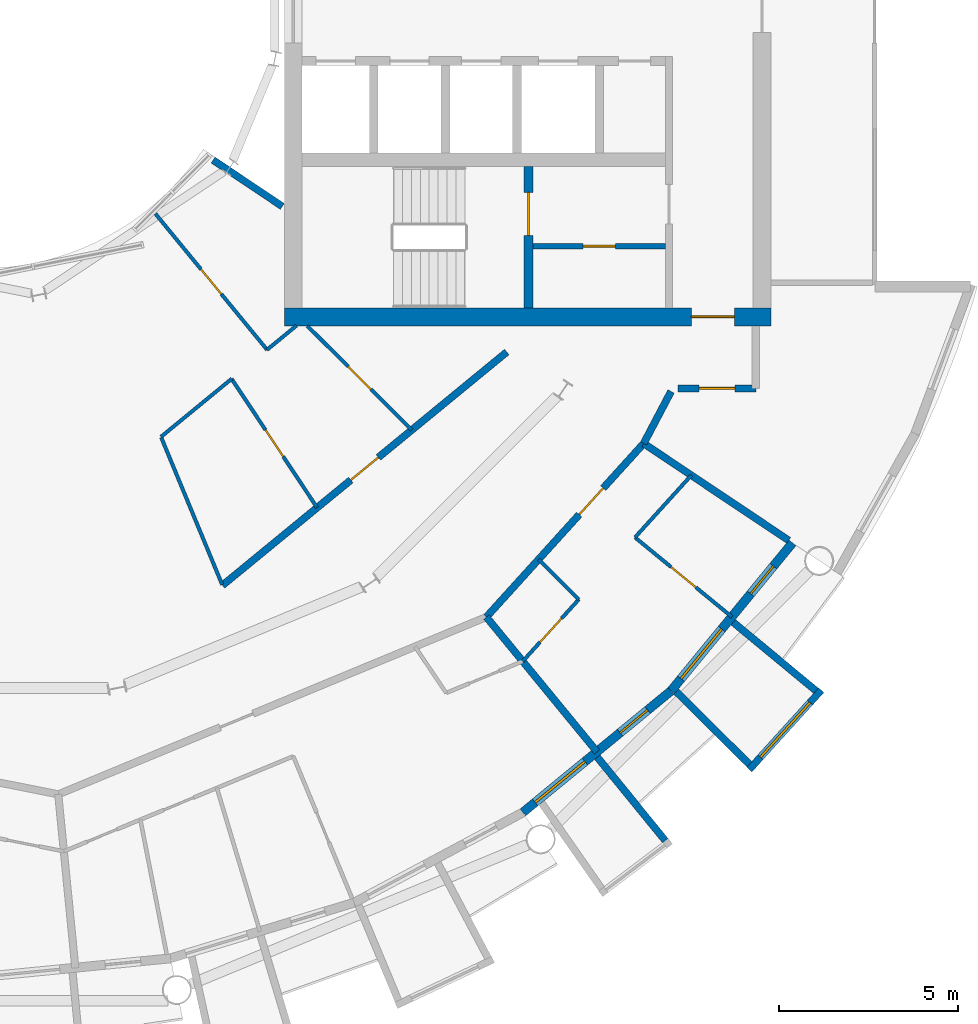
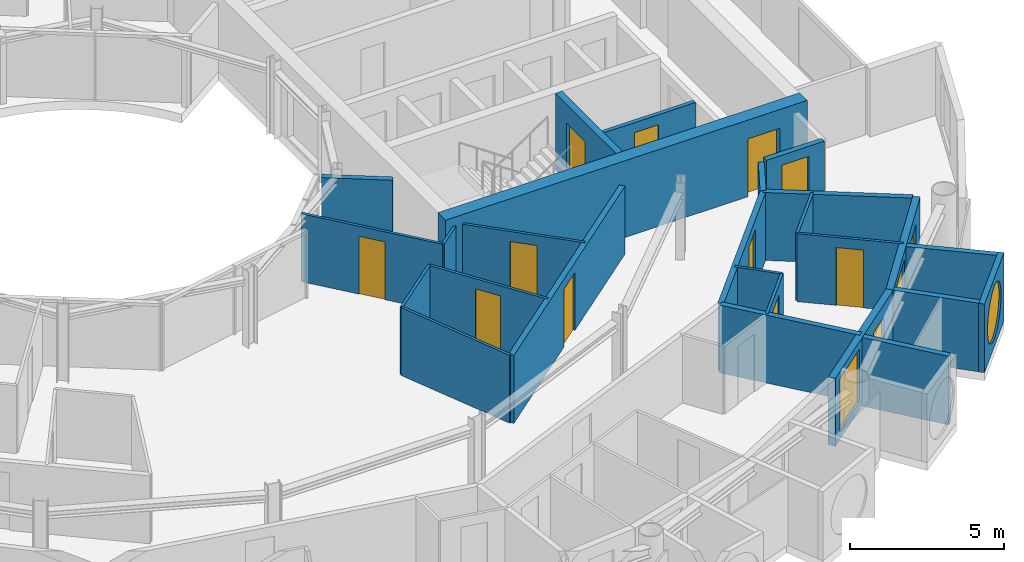
# One storey, part 17 of 27: 26 walls, 13 doors, 3 windows, 16 openings.
"""IFC4 building model written with IfcOpenShell, lengths in metres."""

import ifcopenshell
import ifcopenshell.guid

model = None  # the IFC model being written
_history = None  # IfcOwnerHistory: only IFC2X3 demands one
_inside = {}  # id of a spatial element -> (the spatial element, [elements in it])
_under = {}  # id of a project, library or spatial element -> (it, [spatial elements below it])
_declared = {}  # id of a project -> (the project, [libraries it declares])
_typed = {}  # id of a type object -> (the type object, [elements of that type])
_made_of = {}  # id of a material, layer set ... -> (it, [elements and type objects made of it])


def new_model(schema):
    """Start an empty IFC model of exactly this schema.

    Asked for "IFC4X3", IfcOpenShell would pick the latest addendum, in which some entities
    have other attributes; the version numbers below select the first issue.
    IFC2X3 requires an IfcOwnerHistory on every rooted entity: one is made here for all.
    """
    global model, _history
    if schema == "IFC4X3":
        model = ifcopenshell.file(schema_version=(4, 3, 0, 0))
    else:
        model = ifcopenshell.file(schema=schema)
    _inside.clear()
    _under.clear()
    _declared.clear()
    _typed.clear()
    _made_of.clear()
    _history = None
    if model.schema == "IFC2X3":
        org = make("IfcOrganization", Name="unknown")
        user = make(
            "IfcPersonAndOrganization",
            ThePerson=make("IfcPerson", FamilyName="unknown"),
            TheOrganization=org,
        )
        app = make(
            "IfcApplication",
            ApplicationDeveloper=org,
            Version="unknown",
            ApplicationFullName="unknown",
            ApplicationIdentifier="unknown",
        )
        _history = make(
            "IfcOwnerHistory",
            OwningUser=user,
            OwningApplication=app,
            ChangeAction="ADDED",
            CreationDate=0,
        )
    return model


def make(cls, **values):
    """One entity of the class cls with the attributes given. An attribute that is None is left unset."""
    return model.create_entity(
        cls, **{name: value for name, value in values.items() if value is not None}
    )


def rooted(cls, **values):
    """An entity with a GlobalId (a new one), such as an element, a storey or a relation."""
    return make(cls, GlobalId=ifcopenshell.guid.new(), OwnerHistory=_history, **values)


def si_unit(unit_type, name, prefix=None):
    """IfcSIUnit, for example si_unit("LENGTHUNIT", "METRE", prefix="MILLI")."""
    return make("IfcSIUnit", UnitType=unit_type, Prefix=prefix, Name=name)


def assignment(units):
    """IfcUnitAssignment: the units of a project."""
    return None if units is None else make("IfcUnitAssignment", Units=units)


def point(xyz):
    """IfcCartesianPoint."""
    return None if xyz is None else make("IfcCartesianPoint", Coordinates=xyz)


def direction(xyz):
    """IfcDirection."""
    return None if xyz is None else make("IfcDirection", DirectionRatios=xyz)


def frame(location, z_axis=None, x_axis=None):
    """IfcAxis2Placement3D, a coordinate frame: its origin and axes. An axis left out is left unset."""
    return make(
        "IfcAxis2Placement3D",
        Location=point(location),
        Axis=direction(z_axis),
        RefDirection=direction(x_axis),
    )


def frame_2d(location, x_axis=None):
    """IfcAxis2Placement2D, a coordinate frame in the plane: its origin and x axis."""
    return make(
        "IfcAxis2Placement2D", Location=point(location), RefDirection=direction(x_axis)
    )


def origin():
    """The frame at (0, 0, 0) with its axes left unset."""
    return frame((0.0, 0.0, 0.0))


def place(relative_to, where):
    """IfcLocalPlacement: puts the frame where relative to a parent placement (None: the world)."""
    return make(
        "IfcLocalPlacement", PlacementRelTo=relative_to, RelativePlacement=where
    )


def context(
    kind, dimensions, precision=None, world=None, true_north=None, identifier=None
):
    """IfcGeometricRepresentationContext, for example the 3D "Model" context."""
    return make(
        "IfcGeometricRepresentationContext",
        ContextIdentifier=identifier,
        ContextType=kind,
        CoordinateSpaceDimension=dimensions,
        Precision=precision,
        WorldCoordinateSystem=world,
        TrueNorth=true_north,
    )


def subcontext(parent, identifier, kind, view, scale=None):
    """IfcGeometricRepresentationSubContext, for example "Body" below "Model"."""
    return make(
        "IfcGeometricRepresentationSubContext",
        ContextIdentifier=identifier,
        ContextType=kind,
        ParentContext=parent,
        TargetScale=scale,
        TargetView=view,
    )


def project(units=None, contexts=None):
    """IfcProject with its units and contexts."""
    return rooted(
        "IfcProject",
        Name="project",
        RepresentationContexts=contexts,
        UnitsInContext=assignment(units),
    )


def spatial(cls, under=None, at=None, **own):
    """A site, building, storey or space (cls), placed at a placement, below another one or the project."""
    s = rooted(cls, ObjectPlacement=at, **own)
    if under is not None:
        _under.setdefault(under.id(), (under, []))[1].append(s)
    return s


def profile(cls, at=None, kind="AREA", **sizes):
    """A parametric profile (cls). Its sizes go by their IFC names, for example OverallWidth=200.0."""
    return make(cls, ProfileType=kind, Position=at, **sizes)


def rectangle(**sizes):
    """IfcRectangleProfileDef."""
    return profile("IfcRectangleProfileDef", **sizes)


def circle(**sizes):
    """IfcCircleProfileDef."""
    return profile("IfcCircleProfileDef", **sizes)


def extrude(swept, where, along, depth):
    """IfcExtrudedAreaSolid: the profile swept, set in the frame where, extruded along a direction by depth."""
    return make(
        "IfcExtrudedAreaSolid",
        SweptArea=swept,
        Position=where,
        ExtrudedDirection=direction(along),
        Depth=depth,
    )


def shape(context_of_items, identifier, shape_type, items):
    """IfcShapeRepresentation: the items that make up one representation, for example the "Body"."""
    return make(
        "IfcShapeRepresentation",
        ContextOfItems=context_of_items,
        RepresentationIdentifier=identifier,
        RepresentationType=shape_type,
        Items=items,
    )


def material(Name=None, Category=None):
    """IfcMaterial."""
    return make("IfcMaterial", Name=Name, Category=Category)


def layer(
    of_material, thickness, ventilated=None, Name=None, Category=None, Priority=None
):
    """IfcMaterialLayer: one layer of a wall or slab, of a material (None: an air gap)."""
    return make(
        "IfcMaterialLayer",
        Material=of_material,
        LayerThickness=thickness,
        IsVentilated=ventilated,
        Name=Name,
        Category=Category,
        Priority=Priority,
    )


def layer_set(layers, Name=None):
    """IfcMaterialLayerSet."""
    return make("IfcMaterialLayerSet", MaterialLayers=layers, LayerSetName=Name)


def made_of(thing, what):
    """Note that an element or type object is made of a material, layer set ...; save() writes the relation."""
    if what is not None:
        _made_of.setdefault(what.id(), (what, []))[1].append(thing)
    return thing


def type_object(cls, material=None, **own):
    """A type object (cls), such as IfcWallType, which elements share."""
    return made_of(rooted(cls, **own), material)


def element(
    cls,
    number,
    at=None,
    inside=None,
    cuts=None,
    type_object=None,
    material=None,
    context=None,
    identifier="Body",
    shape_type=None,
    held_by="IfcProductDefinitionShape",
    body=None,
    shapes=None,
    **own,
):
    """One element of the class cls, such as IfcWall. Its Tag is "e" and its number.

    at: its placement. inside: the storey or other place that contains it. cuts: it is an
    opening in that element (IfcRelVoidsElement). A single representation is given by context,
    identifier, shape_type and body (its items); several are given by shapes. held_by: the class
    of the entity that holds the representations. save() writes the other relations.
    """
    e = rooted(cls, Tag="e%d" % number, ObjectPlacement=at, **own)
    if body is not None:
        shapes = [shape(context, identifier, shape_type, body)]
    if shapes is not None:
        e.Representation = make(held_by, Representations=shapes)
    if inside is not None:
        _inside.setdefault(inside.id(), (inside, []))[1].append(e)
    if cuts is not None:
        rooted(
            "IfcRelVoidsElement", RelatingBuildingElement=cuts, RelatedOpeningElement=e
        )
    if type_object is not None:
        _typed.setdefault(type_object.id(), (type_object, []))[1].append(e)
    return made_of(e, material)


def fill(opening, filler):
    """IfcRelFillsElement: the door or window that sits in an opening."""
    return rooted(
        "IfcRelFillsElement",
        RelatingOpeningElement=opening,
        RelatedBuildingElement=filler,
    )


def aggregate(whole, parts):
    """IfcRelAggregates: a whole, such as a stair, and the parts it consists of."""
    return rooted("IfcRelAggregates", RelatingObject=whole, RelatedObjects=parts)


def save(model, path):
    """Write the relations noted so far, then the file.

    IfcRelAggregates (storeys below a building ...), IfcRelContainedInSpatialStructure (elements
    in a storey), IfcRelDefinesByType, IfcRelAssociatesMaterial and IfcRelDeclares: one each for
    every whole, place, type object, material and project.
    """
    for whole, parts in _under.values():
        aggregate(whole, parts)
    for where, things in _inside.values():
        rooted(
            "IfcRelContainedInSpatialStructure",
            RelatedElements=things,
            RelatingStructure=where,
        )
    for kind, things in _typed.values():
        rooted("IfcRelDefinesByType", RelatedObjects=things, RelatingType=kind)
    for what, things in _made_of.values():
        rooted("IfcRelAssociatesMaterial", RelatedObjects=things, RelatingMaterial=what)
    for by, libraries in _declared.values():
        rooted("IfcRelDeclares", RelatingContext=by, RelatedDefinitions=libraries)
    model.write(path)


model = new_model("IFC4")

# Units and contexts
model_context = context("Model", 3, precision=1e-05, world=origin(), true_north=direction((0.0, 1.0)))
body_context = subcontext(model_context, "Body", "Model", "MODEL_VIEW")
ifc_project = project(units=[si_unit("LENGTHUNIT", "METRE"), si_unit("AREAUNIT", "SQUARE_METRE"), si_unit("VOLUMEUNIT", "CUBIC_METRE"), si_unit("PLANEANGLEUNIT", "RADIAN"), si_unit("MASSUNIT", "GRAM", prefix="KILO")], contexts=[model_context])

# Site, building, storey
site_placement = place(None, origin())
site = spatial("IfcSite", under=ifc_project, at=site_placement, CompositionType="ELEMENT")
building_placement = place(site_placement, origin())
building = spatial("IfcBuilding", under=site, at=building_placement, Name="Maasbend Ring Residences", CompositionType="ELEMENT")
storey_placement = place(building_placement, frame((0.0, 0.0, 145.199951171875)))
storey = spatial("IfcBuildingStorey", under=building, at=storey_placement, Name="L41", CompositionType="ELEMENT", Elevation=145.199951171875)

# Wall, opening, door
ifc_material_1 = material(Name="Concrete C60/75", Category="concrete")
ifc_layer_1 = layer(ifc_material_1, 0.25)
ifc_layer_set_1 = layer_set([ifc_layer_1], Name="Concrete C60/75")
wall_type_1 = type_object("IfcWallType", Name="CORE WALL 250 C60/75", PredefinedType="SHEAR", material=ifc_layer_set_1)
wall_1_placement = place(storey_placement, frame((15.324951171875, -8.60009765625, 0.0), z_axis=(0.0, 0.0, 1.0), x_axis=(0.0, 1.0, 0.0)))
wall_1 = element("IfcWall", 1, at=wall_1_placement, inside=storey, type_object=wall_type_1, Name="L41 core E wall STES", PredefinedType="SHEAR", context=body_context, shape_type="SweptSolid", body=[
    extrude(rectangle(XDim=3.9501953125, YDim=0.25, at=frame_2d((1.97509765625, 0.0))), origin(), (0.0, 0.0, 1.0), 3.050048828125),
])
opening_1_placement = place(wall_1_placement, frame((2.02490234375, 0.0, 0.0)))
opening_1 = element("IfcOpeningElement", 2, at=opening_1_placement, cuts=wall_1, Name="Opening D-E4111", PredefinedType="OPENING", context=body_context, shape_type="SweptSolid", body=[
    extrude(rectangle(XDim=1.199951171875, YDim=2.300048828125, at=frame_2d((0.60009765625, 1.14990234375))), frame((0.0, 0.135009765625, 0.0), z_axis=(0.0, -1.0, 0.0), x_axis=(1.0, 0.0, 0.0)), (0.0, 0.0, 1.0), 0.27001953125),
])
ifc_material_2 = material(Name="Steel, powder coated", Category="steel")
door_type_1 = type_object("IfcDoorType", Name="STAIR DOOR 1200 X 2300 FD60", OperationType="NOTDEFINED", PredefinedType="DOOR", material=ifc_material_2)
door_1_placement = place(opening_1_placement, origin())
door_1 = element("IfcDoor", 3, at=door_1_placement, inside=storey, type_object=door_type_1, Name="Stair door ST-E L41", OperationType="SINGLE_SWING_LEFT", OverallHeight=2.300048828125, OverallWidth=1.199951171875, PredefinedType="DOOR", context=body_context, shape_type="SweptSolid", body=[
    extrude(rectangle(XDim=1.199951171875, YDim=2.300048828125, at=frame_2d((0.60009765625, 1.14990234375))), frame((0.0, 0.02490234375, 0.0), z_axis=(0.0, -1.0, 0.0), x_axis=(1.0, 0.0, 0.0)), (0.0, 0.0, 1.0), 0.050048828125),
])
fill(opening_1, door_1)

ifc_material_3 = material(Name="Concrete C60/75", Category="concrete")
ifc_layer_2 = layer(ifc_material_3, 0.5)
ifc_layer_set_2 = layer_set([ifc_layer_2], Name="Concrete C60/75")
wall_type_2 = type_object("IfcWallType", Name="CORE WALL 500 C60/75", PredefinedType="SHEAR", material=ifc_layer_set_2)
wall_2_placement = place(storey_placement, frame((8.5, -8.85009765625, 0.0), z_axis=(0.0, 0.0, 1.0), x_axis=(1.0, 0.0, 0.0)))
wall_2 = element("IfcWall", 4, at=wall_2_placement, inside=storey, type_object=wall_type_2, Name="L41 core E wall PS", PredefinedType="SHEAR", context=body_context, shape_type="SweptSolid", body=[
    extrude(rectangle(XDim=13.60009765625, YDim=0.5, at=frame_2d((6.800048828125, 0.0))), origin(), (0.0, 0.0, 1.0), 3.050048828125),
])
opening_2_placement = place(wall_2_placement, frame((11.375, 0.0, 0.0)))
opening_2 = element("IfcOpeningElement", 5, at=opening_2_placement, cuts=wall_2, Name="Opening D-E4115", PredefinedType="OPENING", context=body_context, shape_type="SweptSolid", body=[
    extrude(rectangle(XDim=1.199951171875, YDim=2.300048828125, at=frame_2d((0.60009765625, 1.14990234375))), frame((0.0, 0.260009765625, 0.0), z_axis=(0.0, -1.0, 0.0), x_axis=(1.0, 0.0, 0.0)), (0.0, 0.0, 1.0), 0.52001953125),
])
ifc_material_4 = material(Name="Steel, powder coated", Category="steel")
door_type_2 = type_object("IfcDoorType", Name="CORRIDOR DOOR 1200 X 2300 FD30S", OperationType="NOTDEFINED", PredefinedType="DOOR", material=ifc_material_4)
door_2_placement = place(opening_2_placement, origin())
door_2 = element("IfcDoor", 6, at=door_2_placement, inside=storey, type_object=door_type_2, Name="Corridor door L41", OperationType="SINGLE_SWING_LEFT", OverallHeight=2.300048828125, OverallWidth=1.199951171875, PredefinedType="DOOR", context=body_context, shape_type="SweptSolid", body=[
    extrude(rectangle(XDim=1.199951171875, YDim=2.300048828125, at=frame_2d((0.60009765625, 1.14990234375))), frame((0.0, 0.02490234375, 0.0), z_axis=(0.0, -1.0, 0.0), x_axis=(1.0, 0.0, 0.0)), (0.0, 0.0, 1.0), 0.050048828125),
])
fill(opening_2, door_2)

# Wall
ifc_material_5 = material(Name="Concrete C30/37", Category="concrete")
ifc_layer_3 = layer(ifc_material_5, 0.199951171875)
ifc_layer_set_3 = layer_set([ifc_layer_3], Name="Concrete C30/37")
wall_type_3 = type_object("IfcWallType", Name="CORRIDOR WALL 200 CONCRETE", PredefinedType="PARTITIONING", material=ifc_layer_set_3)
wall_3_placement = place(storey_placement, frame((18.5419921875, -12.388916015625, 0.0), z_axis=(0.0, 0.0, 1.0), x_axis=(0.465605550524, 0.884992356646, 0.0)))
element("IfcWall", 7, at=wall_3_placement, inside=storey, type_object=wall_type_3, Name="U-L41-w010", PredefinedType="PARTITIONING", context=body_context, shape_type="SweptSolid", body=[
    extrude(rectangle(XDim=1.642822265625, YDim=0.199951171875, at=frame_2d((0.8212890625, 0.0))), origin(), (0.0, 0.0, 1.0), 2.699951171875),
])

# Wall, opening, door
wall_4_placement = place(storey_placement, frame((14.14697265625, -17.238037109375, 0.0), z_axis=(0.0, 0.0, 1.0), x_axis=(0.671561669125, 0.740948665268, 0.0)))
wall_4 = element("IfcWall", 8, at=wall_4_placement, inside=storey, type_object=wall_type_3, Name="U-L41-w011", PredefinedType="PARTITIONING", context=body_context, shape_type="SweptSolid", body=[
    extrude(rectangle(XDim=6.54443359375, YDim=0.199951171875, at=frame_2d((3.272216796875, 0.0))), origin(), (0.0, 0.0, 1.0), 2.699951171875),
])
opening_3_placement = place(wall_4_placement, frame((3.862060546875, 0.0, 0.0)))
opening_3 = element("IfcOpeningElement", 9, at=opening_3_placement, cuts=wall_4, Name="Opening D-4148", PredefinedType="OPENING", context=body_context, shape_type="SweptSolid", body=[
    extrude(rectangle(XDim=1.0, YDim=2.300048828125, at=frame_2d((0.5, 1.14990234375))), frame((0.0, 0.10986328125, 0.0), z_axis=(0.0, -1.0, 0.0), x_axis=(1.0, 0.0, 0.0)), (0.0, 0.0, 1.0), 0.219970703125),
])
ifc_material_6 = material(Name="Timber, fire-rated, painted", Category="wood")
door_type_3 = type_object("IfcDoorType", Name="FLAT ENTRANCE DOOR 1000 X 2300 FIRE-RATED", OperationType="NOTDEFINED", PredefinedType="DOOR", material=ifc_material_6)
door_3_placement = place(opening_3_placement, origin())
door_3 = element("IfcDoor", 10, at=door_3_placement, inside=storey, type_object=door_type_3, Name="D-4148", OperationType="SINGLE_SWING_RIGHT", OverallHeight=2.300048828125, OverallWidth=1.0, PredefinedType="DOOR", context=body_context, shape_type="SweptSolid", body=[
    extrude(rectangle(XDim=1.0, YDim=2.300048828125, at=frame_2d((0.5, 1.14990234375))), frame((0.0, 0.02490234375, 0.0), z_axis=(0.0, -1.0, 0.0), x_axis=(1.0, 0.0, 0.0)), (0.0, 0.0, 1.0), 0.050048828125),
])
fill(opening_3, door_3)

wall_5_placement = place(storey_placement, frame((6.77294921875, -16.35302734375, 0.0), z_axis=(0.0, 0.0, 1.0), x_axis=(0.773034536097, 0.634363938131, 0.0)))
wall_5 = element("IfcWall", 11, at=wall_5_placement, inside=storey, type_object=wall_type_3, Name="U-L41-w018", PredefinedType="PARTITIONING", context=body_context, shape_type="SweptSolid", body=[
    extrude(rectangle(XDim=10.276611328125, YDim=0.199951171875, at=frame_2d((5.13818359375, 0.0))), origin(), (0.0, 0.0, 1.0), 2.699951171875),
])
opening_4_placement = place(wall_5_placement, frame((4.637939453125, 0.0, 0.0)))
opening_4 = element("IfcOpeningElement", 12, at=opening_4_placement, cuts=wall_5, Name="Opening D-4155", PredefinedType="OPENING", context=body_context, shape_type="SweptSolid", body=[
    extrude(rectangle(XDim=1.0, YDim=2.300048828125, at=frame_2d((0.5, 1.14990234375))), frame((0.0, 0.10986328125, 0.0), z_axis=(0.0, -1.0, 0.0), x_axis=(1.0, 0.0, 0.0)), (0.0, 0.0, 1.0), 0.219970703125),
])
door_4_placement = place(opening_4_placement, origin())
door_4 = element("IfcDoor", 13, at=door_4_placement, inside=storey, type_object=door_type_3, Name="D-4155", OperationType="SINGLE_SWING_RIGHT", OverallHeight=2.300048828125, OverallWidth=1.0, PredefinedType="DOOR", context=body_context, shape_type="SweptSolid", body=[
    extrude(rectangle(XDim=1.0, YDim=2.300048828125, at=frame_2d((0.5, 1.14990234375))), frame((0.0, 0.02490234375, 0.0), z_axis=(0.0, -1.0, 0.0), x_axis=(1.0, 0.0, 0.0)), (0.0, 0.0, 1.0), 0.050048828125),
])
fill(opening_4, door_4)

wall_6_placement = place(storey_placement, frame((19.50390625, -10.85009765625, 0.0), z_axis=(0.0, 0.0, 1.0), x_axis=(1.0, 0.0, 0.0)))
wall_6 = element("IfcWall", 14, at=wall_6_placement, inside=storey, type_object=wall_type_3, Name="U-L41-w024", PredefinedType="PARTITIONING", context=body_context, shape_type="SweptSolid", body=[
    extrude(rectangle(XDim=2.171142578125, YDim=0.199951171875, at=frame_2d((1.08544921875, 0.0))), origin(), (0.0, 0.0, 1.0), 2.699951171875),
])
opening_5_placement = place(wall_6_placement, frame((0.5849609375, 0.0, 0.0)))
opening_5 = element("IfcOpeningElement", 15, at=opening_5_placement, cuts=wall_6, Name="Opening D-4161", PredefinedType="OPENING", context=body_context, shape_type="SweptSolid", body=[
    extrude(rectangle(XDim=1.0, YDim=2.300048828125, at=frame_2d((0.5, 1.14990234375))), frame((0.0, 0.10986328125, 0.0), z_axis=(0.0, -1.0, 0.0), x_axis=(1.0, 0.0, 0.0)), (0.0, 0.0, 1.0), 0.219970703125),
])
ifc_material_7 = material(Name="Timber, painted", Category="wood")
door_type_4 = type_object("IfcDoorType", Name="ROOM DOOR 1000 X 2300", OperationType="NOTDEFINED", PredefinedType="DOOR", material=ifc_material_7)
door_5_placement = place(opening_5_placement, origin())
door_5 = element("IfcDoor", 16, at=door_5_placement, inside=storey, type_object=door_type_4, Name="D-4161", OperationType="SINGLE_SWING_LEFT", OverallHeight=2.300048828125, OverallWidth=1.0, PredefinedType="DOOR", context=body_context, shape_type="SweptSolid", body=[
    extrude(rectangle(XDim=1.0, YDim=2.300048828125, at=frame_2d((0.5, 1.14990234375))), frame((0.0, 0.02490234375, 0.0), z_axis=(0.0, -1.0, 0.0), x_axis=(1.0, 0.0, 0.0)), (0.0, 0.0, 1.0), 0.050048828125),
])
fill(opening_5, door_5)

# Wall
ifc_material_8 = material(Name="Pale anodised aluminium panel", Category="aluminium")
ifc_layer_4 = layer(ifc_material_8, 0.199951171875)
ifc_layer_set_4 = layer_set([ifc_layer_4], Name="EW-BOX")
wall_type_4 = type_object("IfcWallType", Name="EW-BOX", PredefinedType="SOLIDWALL", material=ifc_layer_set_4)
wall_7_placement = place(storey_placement, frame((17.24609375, -21.155029296875, -0.030029296875), z_axis=(0.0, 0.0, 1.0), x_axis=(0.631741648902, -0.775179004516, 0.0)))
element("IfcWall", 17, at=wall_7_placement, inside=storey, type_object=wall_type_4, Name="Box side wall S17 right", PredefinedType="SOLIDWALL", context=body_context, shape_type="SweptSolid", body=[
    extrude(rectangle(XDim=3.005859375, YDim=0.199951171875, at=frame_2d((1.5029296875, 0.0))), origin(), (0.0, 0.0, 1.0), 2.72998046875),
])

# Wall, opening, window
wall_8_placement = place(storey_placement, frame((21.492919921875, -21.5, -0.030029296875), z_axis=(0.0, 0.0, 1.0), x_axis=(0.671506829416, 0.740998365753, 0.0)))
wall_8 = element("IfcWall", 18, at=wall_8_placement, inside=storey, type_object=wall_type_4, Name="Box front S19", PredefinedType="SOLIDWALL", context=body_context, shape_type="SweptSolid", body=[
    extrude(rectangle(XDim=2.9931640625, YDim=0.199951171875, at=frame_2d((1.49658203125, 0.0))), origin(), (0.0, 0.0, 1.0), 2.72998046875),
])
opening_6_placement = place(wall_8_placement, frame((0.45654296875, 0.0, 0.330078125)))
opening_6 = element("IfcOpeningElement", 19, at=opening_6_placement, cuts=wall_8, Name="Opening W-RD", PredefinedType="OPENING", context=body_context, shape_type="SweptSolid", body=[
    extrude(circle(Radius=1.0400390625, at=frame_2d((1.0400390625, 1.0400390625))), frame((0.0, 0.10986328125, 0.0), z_axis=(0.0, -1.0, 0.0), x_axis=(1.0, 0.0, 0.0)), (0.0, 0.0, 1.0), 0.219970703125),
])
ifc_material_9 = material(Name="Aluminium and clear glass", Category="aluminium")
window_type_1 = type_object("IfcWindowType", Name="W-RD", PartitioningType="SINGLE_PANEL", PredefinedType="WINDOW", material=ifc_material_9)
window_1_placement = place(opening_6_placement, origin())
window_1 = element("IfcWindow", 20, at=window_1_placement, inside=storey, type_object=window_type_1, Name="Round window S19", OverallHeight=2.080078125, OverallWidth=2.080078125, PartitioningType="SINGLE_PANEL", PredefinedType="WINDOW", context=body_context, shape_type="SweptSolid", body=[
    extrude(circle(Radius=1.0400390625, at=frame_2d((1.0400390625, 1.0400390625))), frame((0.0, 0.030029296875, 0.0), z_axis=(0.0, -1.0, 0.0), x_axis=(1.0, 0.0, 0.0)), (0.0, 0.0, 1.0), 0.06005859375),
])
fill(opening_6, window_1)

# Walls
wall_9_placement = place(storey_placement, frame((19.449951171875, -19.322998046875, -0.030029296875), z_axis=(0.0, 0.0, 1.0), x_axis=(0.709727076896, -0.704476739375, 0.0)))
element("IfcWall", 21, at=wall_9_placement, inside=storey, type_object=wall_type_4, Name="Box side wall S19 left", PredefinedType="SOLIDWALL", context=body_context, shape_type="SweptSolid", body=[
    extrude(rectangle(XDim=2.883056640625, YDim=0.199951171875, at=frame_2d((1.44140625, 0.0))), origin(), (0.0, 0.0, 1.0), 2.72998046875),
])
wall_10_placement = place(storey_placement, frame((21.041015625, -17.384033203125, -0.030029296875), z_axis=(0.0, 0.0, 1.0), x_axis=(0.770784861449, -0.63709551667, 0.0)))
element("IfcWall", 22, at=wall_10_placement, inside=storey, type_object=wall_type_4, Name="Box side wall S19 right", PredefinedType="SOLIDWALL", context=body_context, shape_type="SweptSolid", body=[
    extrude(rectangle(XDim=3.005859375, YDim=0.199951171875, at=frame_2d((1.5029296875, 0.0))), origin(), (0.0, 0.0, 1.0), 2.72998046875),
])

# Wall, openings, door, window
ifc_material_10 = material(Name="Aluminium clad insulated panel", Category="aluminium")
ifc_layer_5 = layer(ifc_material_10, 0.25)
ifc_layer_set_5 = layer_set([ifc_layer_5], Name="EW-GL")
wall_type_5 = type_object("IfcWallType", Name="EW-GL", PredefinedType="SOLIDWALL", material=ifc_layer_set_5)
wall_11_placement = place(storey_placement, frame((15.1669921875, -22.698974609375, 0.0), z_axis=(0.0, 0.0, 1.0), x_axis=(0.773019449054, 0.634382322723, 0.0)))
wall_11 = element("IfcWall", 23, at=wall_11_placement, inside=storey, type_object=wall_type_5, Name="External wall S09", PredefinedType="SOLIDWALL", context=body_context, shape_type="SweptSolid", body=[
    extrude(rectangle(XDim=5.351806640625, YDim=0.25, at=frame_2d((2.67578125, 0.0))), origin(), (0.0, 0.0, 1.0), 2.699951171875),
])
opening_7_placement = place(wall_11_placement, frame((0.441162109375, 0.0, 0.300048828125)))
opening_7 = element("IfcOpeningElement", 24, at=opening_7_placement, cuts=wall_11, Name="Opening W-BX", PredefinedType="OPENING", context=body_context, shape_type="SweptSolid", body=[
    extrude(rectangle(XDim=1.800048828125, YDim=2.10009765625, at=frame_2d((0.89990234375, 1.050048828125))), frame((0.0, 0.135009765625, 0.0), z_axis=(0.0, -1.0, 0.0), x_axis=(1.0, 0.0, 0.0)), (0.0, 0.0, 1.0), 0.27001953125),
])
opening_8_placement = place(wall_11_placement, frame((3.510498046875, 0.0, 0.0)))
opening_8 = element("IfcOpeningElement", 25, at=opening_8_placement, cuts=wall_11, Name="Opening D-LG", PredefinedType="OPENING", context=body_context, shape_type="SweptSolid", body=[
    extrude(rectangle(XDim=1.0, YDim=2.199951171875, at=frame_2d((0.5, 1.10009765625))), frame((0.0, 0.135009765625, 0.0), z_axis=(0.0, -1.0, 0.0), x_axis=(1.0, 0.0, 0.0)), (0.0, 0.0, 1.0), 0.27001953125),
])
ifc_material_11 = material(Name="Aluminium and clear glass", Category="aluminium")
door_type_5 = type_object("IfcDoorType", Name="D-LG", OperationType="SINGLE_SWING_LEFT", PredefinedType="DOOR", material=ifc_material_11)
door_6_placement = place(opening_8_placement, origin())
door_6 = element("IfcDoor", 26, at=door_6_placement, inside=storey, type_object=door_type_5, Name="Loggia door S18", OperationType="SINGLE_SWING_LEFT", OverallHeight=2.199951171875, OverallWidth=1.0, PredefinedType="DOOR", context=body_context, shape_type="SweptSolid", body=[
    extrude(rectangle(XDim=1.0, YDim=2.199951171875, at=frame_2d((0.5, 1.10009765625))), frame((0.0, 0.02490234375, 0.0), z_axis=(0.0, -1.0, 0.0), x_axis=(1.0, 0.0, 0.0)), (0.0, 0.0, 1.0), 0.050048828125),
])
fill(opening_8, door_6)
ifc_material_12 = material(Name="Aluminium and clear glass", Category="aluminium")
window_type_2 = type_object("IfcWindowType", Name="W-BX", PartitioningType="DOUBLE_PANEL_VERTICAL", PredefinedType="WINDOW", material=ifc_material_12)
window_2_placement = place(opening_7_placement, origin())
window_2 = element("IfcWindow", 27, at=window_2_placement, inside=storey, type_object=window_type_2, Name="Window S17 room to box", OverallHeight=2.10009765625, OverallWidth=1.800048828125, PartitioningType="SINGLE_PANEL", PredefinedType="WINDOW", context=body_context, shape_type="SweptSolid", body=[
    extrude(rectangle(XDim=1.800048828125, YDim=2.10009765625, at=frame_2d((0.89990234375, 1.050048828125))), frame((0.0, 0.030029296875, 0.0), z_axis=(0.0, -1.0, 0.0), x_axis=(1.0, 0.0, 0.0)), (0.0, 0.0, 1.0), 0.06005859375),
])
fill(opening_7, window_2)

wall_12_placement = place(storey_placement, frame((19.303955078125, -19.303955078125, 0.0), z_axis=(0.0, 0.0, 1.0), x_axis=(0.634382322723, 0.773019449054, 0.0)))
wall_12 = element("IfcWall", 28, at=wall_12_placement, inside=storey, type_object=wall_type_5, Name="External wall S10", PredefinedType="SOLIDWALL", context=body_context, shape_type="SweptSolid", body=[
    extrude(rectangle(XDim=5.351806640625, YDim=0.25, at=frame_2d((2.67578125, 0.0))), origin(), (0.0, 0.0, 1.0), 2.699951171875),
])
opening_9_placement = place(wall_12_placement, frame((0.441162109375, 0.0, 0.300048828125)))
opening_9 = element("IfcOpeningElement", 29, at=opening_9_placement, cuts=wall_12, Name="Opening W-BX", PredefinedType="OPENING", context=body_context, shape_type="SweptSolid", body=[
    extrude(rectangle(XDim=1.800048828125, YDim=2.10009765625, at=frame_2d((0.89990234375, 1.050048828125))), frame((0.0, 0.135009765625, 0.0), z_axis=(0.0, -1.0, 0.0), x_axis=(1.0, 0.0, 0.0)), (0.0, 0.0, 1.0), 0.27001953125),
])
opening_10_placement = place(wall_12_placement, frame((3.510498046875, 0.0, 0.0)))
opening_10 = element("IfcOpeningElement", 30, at=opening_10_placement, cuts=wall_12, Name="Opening D-LG", PredefinedType="OPENING", context=body_context, shape_type="SweptSolid", body=[
    extrude(rectangle(XDim=1.0, YDim=2.199951171875, at=frame_2d((0.5, 1.10009765625))), frame((0.0, 0.135009765625, 0.0), z_axis=(0.0, -1.0, 0.0), x_axis=(1.0, 0.0, 0.0)), (0.0, 0.0, 1.0), 0.27001953125),
])
door_7_placement = place(opening_10_placement, origin())
door_7 = element("IfcDoor", 31, at=door_7_placement, inside=storey, type_object=door_type_5, Name="Loggia door S20", OperationType="SINGLE_SWING_LEFT", OverallHeight=2.199951171875, OverallWidth=1.0, PredefinedType="DOOR", context=body_context, shape_type="SweptSolid", body=[
    extrude(rectangle(XDim=1.0, YDim=2.199951171875, at=frame_2d((0.5, 1.10009765625))), frame((0.0, 0.02490234375, 0.0), z_axis=(0.0, -1.0, 0.0), x_axis=(1.0, 0.0, 0.0)), (0.0, 0.0, 1.0), 0.050048828125),
])
fill(opening_10, door_7)
window_3_placement = place(opening_9_placement, origin())
window_3 = element("IfcWindow", 32, at=window_3_placement, inside=storey, type_object=window_type_2, Name="Window S19 room to box", OverallHeight=2.10009765625, OverallWidth=1.800048828125, PartitioningType="SINGLE_PANEL", PredefinedType="WINDOW", context=body_context, shape_type="SweptSolid", body=[
    extrude(rectangle(XDim=1.800048828125, YDim=2.10009765625, at=frame_2d((0.89990234375, 1.050048828125))), frame((0.0, 0.030029296875, 0.0), z_axis=(0.0, -1.0, 0.0), x_axis=(1.0, 0.0, 0.0)), (0.0, 0.0, 1.0), 0.06005859375),
])
fill(opening_9, window_3)

# Wall, opening, door
ifc_material_13 = material(Name="Gypsum board on steel studs", Category="steel")
ifc_layer_6 = layer(ifc_material_13, 0.10009765625)
ifc_layer_set_6 = layer_set([ifc_layer_6], Name="PARTITION 100 GYPSUM")
wall_type_6 = type_object("IfcWallType", Name="PARTITION 100 GYPSUM", PredefinedType="PARTITIONING", material=ifc_layer_set_6)
wall_13_placement = place(storey_placement, frame((15.162109375, -18.47509765625, 0.0), z_axis=(0.0, 0.0, 1.0), x_axis=(0.671528384412, 0.740978831634, 0.0)))
wall_13 = element("IfcWall", 33, at=wall_13_placement, inside=storey, type_object=wall_type_6, Name="U-L41-w001", PredefinedType="PARTITIONING", context=body_context, shape_type="SweptSolid", body=[
    extrude(rectangle(XDim=2.337646484375, YDim=0.10009765625, at=frame_2d((1.1689453125, 0.0))), origin(), (0.0, 0.0, 1.0), 2.699951171875),
])
opening_11_placement = place(wall_13_placement, frame((0.718994140625, 0.0, 0.0)))
opening_11 = element("IfcOpeningElement", 34, at=opening_11_placement, cuts=wall_13, Name="Opening D-4149", PredefinedType="OPENING", context=body_context, shape_type="SweptSolid", body=[
    extrude(rectangle(XDim=0.89990234375, YDim=2.300048828125, at=frame_2d((0.449951171875, 1.14990234375))), frame((0.0, 0.06005859375, 0.0), z_axis=(0.0, -1.0, 0.0), x_axis=(1.0, 0.0, 0.0)), (0.0, 0.0, 1.0), 0.1201171875),
])
ifc_material_14 = material(Name="Timber, painted", Category="wood")
door_type_6 = type_object("IfcDoorType", Name="INTERNAL DOOR 900 X 2300", OperationType="NOTDEFINED", PredefinedType="DOOR", material=ifc_material_14)
door_8_placement = place(opening_11_placement, origin())
door_8 = element("IfcDoor", 35, at=door_8_placement, inside=storey, type_object=door_type_6, Name="D-4149", OperationType="SINGLE_SWING_LEFT", OverallHeight=2.300048828125, OverallWidth=0.89990234375, PredefinedType="DOOR", context=body_context, shape_type="SweptSolid", body=[
    extrude(rectangle(XDim=0.89990234375, YDim=2.300048828125, at=frame_2d((0.449951171875, 1.14990234375))), frame((0.0, 0.02490234375, 0.0), z_axis=(0.0, -1.0, 0.0), x_axis=(1.0, 0.0, 0.0)), (0.0, 0.0, 1.0), 0.050048828125),
])
fill(opening_11, door_8)

# Walls
wall_14_placement = place(storey_placement, frame((18.302001953125, -15.010009765625, 0.0), z_axis=(0.0, 0.0, 1.0), x_axis=(0.671637685376, 0.740879760544, 0.0)))
element("IfcWall", 36, at=wall_14_placement, inside=storey, type_object=wall_type_6, Name="U-L41-w002", PredefinedType="PARTITIONING", context=body_context, shape_type="SweptSolid", body=[
    extrude(rectangle(XDim=2.337646484375, YDim=0.10009765625, at=frame_2d((1.1689453125, 0.0))), origin(), (0.0, 0.0, 1.0), 2.699951171875),
])
wall_15_placement = place(storey_placement, frame((5.054931640625, -12.2041015625, 0.0), z_axis=(0.0, 0.0, 1.0), x_axis=(0.772943675046, 0.634474645046, 0.0)))
element("IfcWall", 37, at=wall_15_placement, inside=storey, type_object=wall_type_6, Name="U-L41-w021", PredefinedType="PARTITIONING", context=body_context, shape_type="SweptSolid", body=[
    extrude(rectangle(XDim=2.556640625, YDim=0.10009765625, at=frame_2d((1.2783203125, 0.0))), origin(), (0.0, 0.0, 1.0), 2.699951171875),
])
wall_16_placement = place(storey_placement, frame((8.01611328125, -9.77294921875, 0.0), z_axis=(0.0, 0.0, 1.0), x_axis=(0.7731800648, 0.634186555673, 0.0)))
element("IfcWall", 38, at=wall_16_placement, inside=storey, type_object=wall_type_6, Name="U-L41-w022", PredefinedType="PARTITIONING", context=body_context, shape_type="SweptSolid", body=[
    extrude(rectangle(XDim=1.064453125, YDim=0.10009765625, at=frame_2d((0.5322265625, 0.0))), origin(), (0.0, 0.0, 1.0), 2.699951171875),
])

# Wall, opening, door
wall_17_placement = place(storey_placement, frame((4.89794921875, -5.968017578125, 0.0), z_axis=(0.0, 0.0, 1.0), x_axis=(0.634401778971, -0.773003481776, 0.0)))
wall_17 = element("IfcWall", 39, at=wall_17_placement, inside=storey, type_object=wall_type_6, Name="U-L41-w065", PredefinedType="PARTITIONING", context=body_context, shape_type="SweptSolid", body=[
    extrude(rectangle(XDim=4.919677734375, YDim=0.10009765625, at=frame_2d((2.4599609375, 0.0))), origin(), (0.0, 0.0, 1.0), 2.699951171875),
])
opening_12_placement = place(wall_17_placement, frame((2.010009765625, 0.0, 0.0)))
opening_12 = element("IfcOpeningElement", 40, at=opening_12_placement, cuts=wall_17, Name="Opening D-4158", PredefinedType="OPENING", context=body_context, shape_type="SweptSolid", body=[
    extrude(rectangle(XDim=0.89990234375, YDim=2.300048828125, at=frame_2d((0.449951171875, 1.14990234375))), frame((0.0, 0.06005859375, 0.0), z_axis=(0.0, -1.0, 0.0), x_axis=(1.0, 0.0, 0.0)), (0.0, 0.0, 1.0), 0.1201171875),
])
door_9_placement = place(opening_12_placement, origin())
door_9 = element("IfcDoor", 41, at=door_9_placement, inside=storey, type_object=door_type_6, Name="D-4158", OperationType="SINGLE_SWING_RIGHT", OverallHeight=2.300048828125, OverallWidth=0.89990234375, PredefinedType="DOOR", context=body_context, shape_type="SweptSolid", body=[
    extrude(rectangle(XDim=0.89990234375, YDim=2.300048828125, at=frame_2d((0.449951171875, 1.14990234375))), frame((0.0, 0.02490234375, 0.0), z_axis=(0.0, -1.0, 0.0), x_axis=(1.0, 0.0, 0.0)), (0.0, 0.0, 1.0), 0.050048828125),
])
fill(opening_12, door_9)

wall_18_placement = place(storey_placement, frame((7.028076171875, -10.583984375, 0.0), z_axis=(0.0, 0.0, 1.0), x_axis=(0.553303732327, -0.832979579457, 0.0)))
wall_18 = element("IfcWall", 42, at=wall_18_placement, inside=storey, type_object=wall_type_6, Name="U-L41-w069", PredefinedType="PARTITIONING", context=body_context, shape_type="SweptSolid", body=[
    extrude(rectangle(XDim=4.3193359375, YDim=0.10009765625, at=frame_2d((2.15966796875, 0.0))), origin(), (0.0, 0.0, 1.0), 2.699951171875),
])
opening_13_placement = place(wall_18_placement, frame((1.7099609375, 0.0, 0.0)))
opening_13 = element("IfcOpeningElement", 43, at=opening_13_placement, cuts=wall_18, Name="Opening D-4156", PredefinedType="OPENING", context=body_context, shape_type="SweptSolid", body=[
    extrude(rectangle(XDim=0.89990234375, YDim=2.300048828125, at=frame_2d((0.449951171875, 1.14990234375))), frame((0.0, 0.06005859375, 0.0), z_axis=(0.0, -1.0, 0.0), x_axis=(1.0, 0.0, 0.0)), (0.0, 0.0, 1.0), 0.1201171875),
])
door_10_placement = place(opening_13_placement, origin())
door_10 = element("IfcDoor", 44, at=door_10_placement, inside=storey, type_object=door_type_6, Name="D-4156", OperationType="SINGLE_SWING_LEFT", OverallHeight=2.300048828125, OverallWidth=0.89990234375, PredefinedType="DOOR", context=body_context, shape_type="SweptSolid", body=[
    extrude(rectangle(XDim=0.89990234375, YDim=2.300048828125, at=frame_2d((0.449951171875, 1.14990234375))), frame((0.0, 0.02490234375, 0.0), z_axis=(0.0, -1.0, 0.0), x_axis=(1.0, 0.0, 0.0)), (0.0, 0.0, 1.0), 0.050048828125),
])
fill(opening_13, door_10)

wall_19_placement = place(storey_placement, frame((9.14404296875, -9.10400390625, 0.0), z_axis=(0.0, 0.0, 1.0), x_axis=(0.708793214553, -0.705416316088, 0.0)))
wall_19 = element("IfcWall", 45, at=wall_19_placement, inside=storey, type_object=wall_type_6, Name="U-L41-w072", PredefinedType="PARTITIONING", context=body_context, shape_type="SweptSolid", body=[
    extrude(rectangle(XDim=4.120849609375, YDim=0.10009765625, at=frame_2d((2.060546875, 0.0))), origin(), (0.0, 0.0, 1.0), 2.699951171875),
])
opening_14_placement = place(wall_19_placement, frame((1.611083984375, 0.0, 0.0)))
opening_14 = element("IfcOpeningElement", 46, at=opening_14_placement, cuts=wall_19, Name="Opening D-4157", PredefinedType="OPENING", context=body_context, shape_type="SweptSolid", body=[
    extrude(rectangle(XDim=0.89990234375, YDim=2.300048828125, at=frame_2d((0.449951171875, 1.14990234375))), frame((0.0, 0.06005859375, 0.0), z_axis=(0.0, -1.0, 0.0), x_axis=(1.0, 0.0, 0.0)), (0.0, 0.0, 1.0), 0.1201171875),
])
door_11_placement = place(opening_14_placement, origin())
door_11 = element("IfcDoor", 47, at=door_11_placement, inside=storey, type_object=door_type_6, Name="D-4157", OperationType="SINGLE_SWING_RIGHT", OverallHeight=2.300048828125, OverallWidth=0.89990234375, PredefinedType="DOOR", context=body_context, shape_type="SweptSolid", body=[
    extrude(rectangle(XDim=0.89990234375, YDim=2.300048828125, at=frame_2d((0.449951171875, 1.14990234375))), frame((0.0, 0.02490234375, 0.0), z_axis=(0.0, -1.0, 0.0), x_axis=(1.0, 0.0, 0.0)), (0.0, 0.0, 1.0), 0.050048828125),
])
fill(opening_14, door_11)

# Wall
wall_20_placement = place(storey_placement, frame((15.60791015625, -15.6259765625, 0.0), z_axis=(0.0, 0.0, 1.0), x_axis=(0.70679860656, -0.707414821561, 0.0)))
element("IfcWall", 48, at=wall_20_placement, inside=storey, type_object=wall_type_6, Name="U-L41-w077", PredefinedType="PARTITIONING", context=body_context, shape_type="SweptSolid", body=[
    extrude(rectangle(XDim=1.584716796875, YDim=0.10009765625, at=frame_2d((0.79248046875, 0.0))), origin(), (0.0, 0.0, 1.0), 2.699951171875),
])

# Wall, opening, door
wall_21_placement = place(storey_placement, frame((18.299072265625, -15.013916015625, 0.0), z_axis=(0.0, 0.0, 1.0), x_axis=(0.773131168403, -0.634246163917, 0.0)))
wall_21 = element("IfcWall", 49, at=wall_21_placement, inside=storey, type_object=wall_type_6, Name="U-L41-w079", PredefinedType="PARTITIONING", context=body_context, shape_type="SweptSolid", body=[
    extrude(rectangle(XDim=3.505126953125, YDim=0.10009765625, at=frame_2d((1.75244140625, 0.0))), origin(), (0.0, 0.0, 1.0), 2.699951171875),
])
opening_15_placement = place(wall_21_placement, frame((1.302001953125, 0.0, 0.0)))
opening_15 = element("IfcOpeningElement", 50, at=opening_15_placement, cuts=wall_21, Name="Opening D-4150", PredefinedType="OPENING", context=body_context, shape_type="SweptSolid", body=[
    extrude(rectangle(XDim=0.89990234375, YDim=2.300048828125, at=frame_2d((0.449951171875, 1.14990234375))), frame((0.0, 0.06005859375, 0.0), z_axis=(0.0, -1.0, 0.0), x_axis=(1.0, 0.0, 0.0)), (0.0, 0.0, 1.0), 0.1201171875),
])
door_12_placement = place(opening_15_placement, origin())
door_12 = element("IfcDoor", 51, at=door_12_placement, inside=storey, type_object=door_type_6, Name="D-4150", OperationType="SINGLE_SWING_LEFT", OverallHeight=2.300048828125, OverallWidth=0.89990234375, PredefinedType="DOOR", context=body_context, shape_type="SweptSolid", body=[
    extrude(rectangle(XDim=0.89990234375, YDim=2.300048828125, at=frame_2d((0.449951171875, 1.14990234375))), frame((0.0, 0.02490234375, 0.0), z_axis=(0.0, -1.0, 0.0), x_axis=(1.0, 0.0, 0.0)), (0.0, 0.0, 1.0), 0.050048828125),
])
fill(opening_15, door_12)

# Wall
wall_22_placement = place(storey_placement, frame((6.764892578125, -16.333984375, 0.0), z_axis=(0.0, 0.0, 1.0), x_axis=(-0.382498794932, 0.923955990226, 0.0)))
element("IfcWall", 52, at=wall_22_placement, inside=storey, type_object=wall_type_6, Name="U-L41-w120", PredefinedType="PARTITIONING", context=body_context, shape_type="SweptSolid", body=[
    extrude(rectangle(XDim=4.449462890625, YDim=0.10009765625, at=frame_2d((2.224609375, 0.0))), origin(), (0.0, 0.0, 1.0), 2.699951171875),
])

# Wall, opening, door
ifc_material_15 = material(Name="Gypsum board on steel studs", Category="steel")
ifc_layer_7 = layer(ifc_material_15, 0.14990234375)
ifc_layer_set_7 = layer_set([ifc_layer_7], Name="PARTITION 150 EI 60")
wall_type_7 = type_object("IfcWallType", Name="PARTITION 150 EI 60", PredefinedType="PARTITIONING", material=ifc_layer_set_7)
wall_23_placement = place(storey_placement, frame((15.449951171875, -6.875, 0.0), z_axis=(0.0, 0.0, 1.0), x_axis=(1.0, 0.0, 0.0)))
wall_23 = element("IfcWall", 53, at=wall_23_placement, inside=storey, type_object=wall_type_7, Name="L41 core E wall RHS", PredefinedType="PARTITIONING", context=body_context, shape_type="SweptSolid", body=[
    extrude(rectangle(XDim=3.699951171875, YDim=0.14990234375, at=frame_2d((1.85009765625, 0.0))), origin(), (0.0, 0.0, 1.0), 2.699951171875),
])
opening_16_placement = place(wall_23_placement, frame((1.39990234375, 0.0, 0.0)))
opening_16 = element("IfcOpeningElement", 54, at=opening_16_placement, cuts=wall_23, Name="Opening D-E4109", PredefinedType="OPENING", context=body_context, shape_type="SweptSolid", body=[
    extrude(rectangle(XDim=0.89990234375, YDim=2.300048828125, at=frame_2d((0.449951171875, 1.14990234375))), frame((0.0, 0.0849609375, 0.0), z_axis=(0.0, -1.0, 0.0), x_axis=(1.0, 0.0, 0.0)), (0.0, 0.0, 1.0), 0.169921875),
])
ifc_material_16 = material(Name="Steel, powder coated", Category="steel")
door_type_7 = type_object("IfcDoorType", Name="RISER DOOR 900 X 2300 FD60", OperationType="NOTDEFINED", PredefinedType="DOOR", material=ifc_material_16)
door_13_placement = place(opening_16_placement, origin())
door_13 = element("IfcDoor", 55, at=door_13_placement, inside=storey, type_object=door_type_7, Name="Riser door L41", OperationType="SINGLE_SWING_LEFT", OverallHeight=2.300048828125, OverallWidth=0.89990234375, PredefinedType="DOOR", context=body_context, shape_type="SweptSolid", body=[
    extrude(rectangle(XDim=0.89990234375, YDim=2.300048828125, at=frame_2d((0.449951171875, 1.14990234375))), frame((0.0, 0.02490234375, 0.0), z_axis=(0.0, -1.0, 0.0), x_axis=(1.0, 0.0, 0.0)), (0.0, 0.0, 1.0), 0.050048828125),
])
fill(opening_16, door_13)

# Walls
ifc_material_17 = material(Name="Concrete C30/37", Category="concrete")
ifc_layer_8 = layer(ifc_material_17, 0.199951171875)
ifc_layer_set_8 = layer_set([ifc_layer_8], Name="Concrete C30/37")
wall_type_8 = type_object("IfcWallType", Name="PARTY WALL 200 CONCRETE", PredefinedType="PARTITIONING", material=ifc_layer_set_8)
wall_24_placement = place(storey_placement, frame((6.512939453125, -4.471923828125, 0.0), z_axis=(0.0, 0.0, 1.0), x_axis=(0.83133816625, -0.555766905579, 0.0)))
element("IfcWall", 56, at=wall_24_placement, inside=storey, type_object=wall_type_8, Name="U-L41-w026", PredefinedType="PARTITIONING", context=body_context, shape_type="SweptSolid", body=[
    extrude(rectangle(XDim=2.322998046875, YDim=0.199951171875, at=frame_2d((1.16162109375, 0.0))), origin(), (0.0, 0.0, 1.0), 2.699951171875),
])
wall_25_placement = place(storey_placement, frame((14.14697265625, -17.238037109375, 0.0), z_axis=(0.0, 0.0, 1.0), x_axis=(0.634374159378, -0.773026148273, 0.0)))
element("IfcWall", 57, at=wall_25_placement, inside=storey, type_object=wall_type_8, Name="U-L41-w075", PredefinedType="PARTITIONING", context=body_context, shape_type="SweptSolid", body=[
    extrude(rectangle(XDim=4.875732421875, YDim=0.199951171875, at=frame_2d((2.43798828125, 0.0))), origin(), (0.0, 0.0, 1.0), 2.699951171875),
])
wall_26_placement = place(storey_placement, frame((18.5419921875, -12.388916015625, 0.0), z_axis=(0.0, 0.0, 1.0), x_axis=(0.831387096605, -0.55569370664, 0.0)))
element("IfcWall", 58, at=wall_26_placement, inside=storey, type_object=wall_type_8, Name="U-L41-w081", PredefinedType="PARTITIONING", context=body_context, shape_type="SweptSolid", body=[
    extrude(rectangle(XDim=4.875, YDim=0.199951171875, at=frame_2d((2.4375, 0.0))), origin(), (0.0, 0.0, 1.0), 2.699951171875),
])

save(model, "model.ifc")
